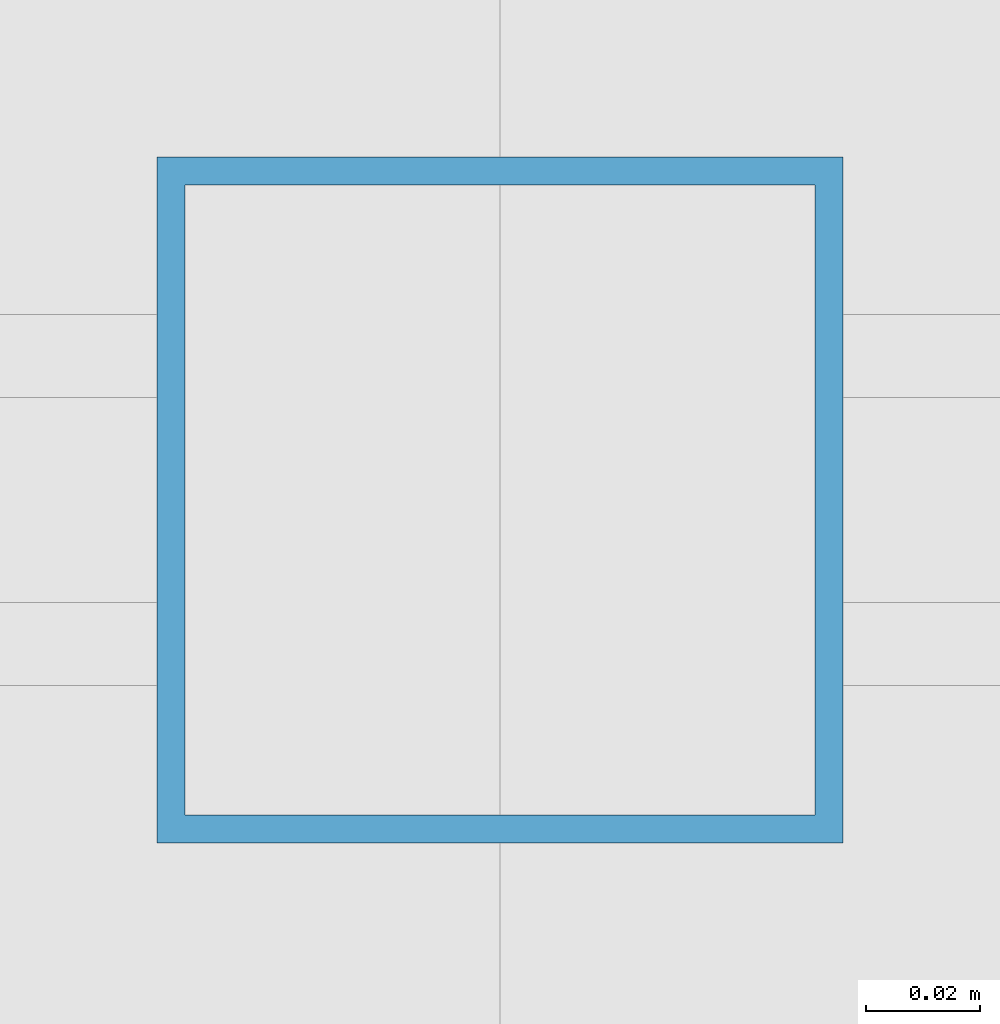
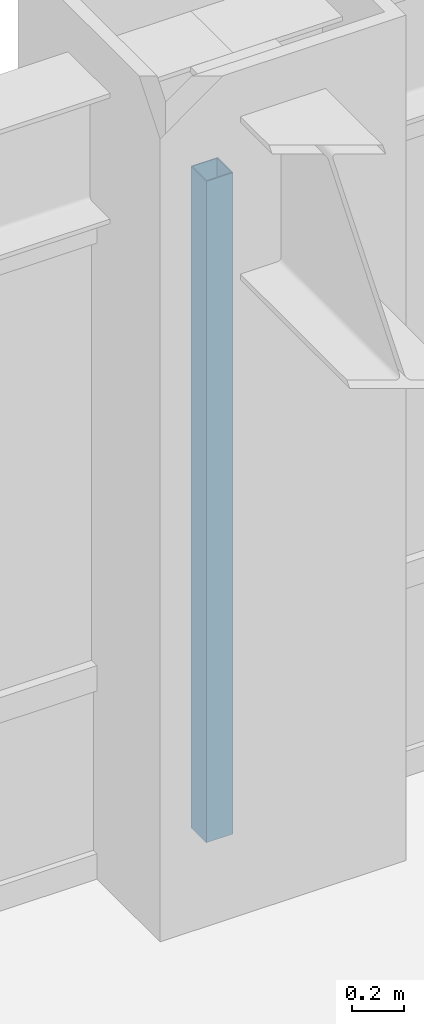
# One storey, part 16 of 24: 1 member, 1 element without a shape of its own.
"""IFC4 building model written with IfcOpenShell, lengths in metres."""

from ifc_helpers import new_model, si_unit, direction, frame, origin, origin_2d, place, context, subcontext, project, spatial, hollow_rectangle, extrude, source, transform, mapped, material, material_profile, profile_set, type_object, element, aggregate, save


model = new_model("IFC4")

# Units and contexts
model_context = context("Model", 3, precision=1e-05, world=origin(), true_north=direction((0.0, 1.0)))
body_context = subcontext(model_context, "Body", "Model", "MODEL_VIEW")
ifc_project = project(units=[si_unit("LENGTHUNIT", "METRE"), si_unit("AREAUNIT", "SQUARE_METRE"), si_unit("VOLUMEUNIT", "CUBIC_METRE"), si_unit("PLANEANGLEUNIT", "RADIAN"), si_unit("MASSUNIT", "GRAM", prefix="KILO")], contexts=[model_context])

# Site, building, storey
site_placement = place(None, origin())
site = spatial("IfcSite", under=ifc_project, at=site_placement, CompositionType="ELEMENT")
building_placement = place(site_placement, origin())
building = spatial("IfcBuilding", under=site, at=building_placement, Name="Khorayat Bourse Tower", CompositionType="ELEMENT")
storey_placement = place(building_placement, frame((0.0, 0.0, 167.10009765625)))
storey = spatial("IfcBuildingStorey", under=building, at=storey_placement, Name="L38", CompositionType="ELEMENT", Elevation=167.10009765625)

# Curtain wall, member
ifc_material = material(Name="Aluminium EN AW-6063 T6", Category="aluminium")
curtain_wall_type = type_object("IfcCurtainWallType", Name="CW-SYS-03", PredefinedType="NOTDEFINED", material=ifc_material)
curtain_wall_placement = place(storey_placement, origin())
curtain_wall = element("IfcCurtainWall", 1, at=curtain_wall_placement, inside=storey, type_object=curtain_wall_type, Name="L38 Curtain Wall CW-L38-N1", PredefinedType="NOTDEFINED")
ifc_material_profile = material_profile(ifc_material, hollow_rectangle(XDim=0.1201171875, YDim=0.1201171875, WallThickness=0.0048828125, at=origin_2d()), Name="ALU 120x120x5")
ifc_profile_set = profile_set([ifc_material_profile], Name="Aluminium EN AW-6063 T6")
member_type = type_object("IfcMemberType", Name="CWM-VERT-120", PredefinedType="MULLION", material=ifc_profile_set)
shared_shape = source(origin(), body_context, "Body", "SweptSolid", [
    extrude(hollow_rectangle(XDim=0.1201171875, YDim=0.1201171875, WallThickness=0.0048828125, at=origin_2d()), origin(), (0.0, 0.0, 1.0), 3.1298828125),
])
member_placement = place(storey_placement, frame((0.0, 30.0, 0.0), z_axis=(0.0, 0.0, 1.0), x_axis=(0.0, 1.0, 0.0)))
member = element("IfcMember", 2, at=member_placement, type_object=member_type, Name="CW-L38-N1 Vertical Mullion 2", PredefinedType="MULLION", context=body_context, shape_type="MappedRepresentation", body=[
    mapped(shared_shape, transform((0.0, 0.0, 0.0), scale=1.0)),
])
aggregate(curtain_wall, [member])

save(model, "model.ifc")
